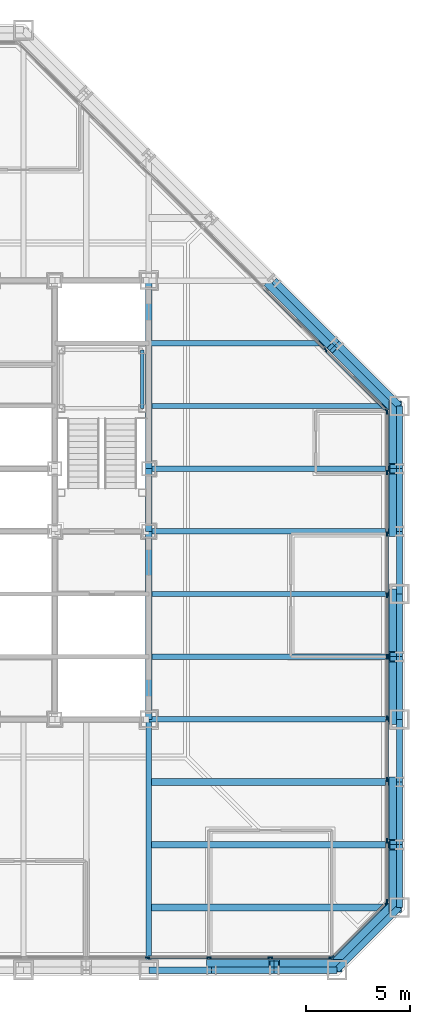
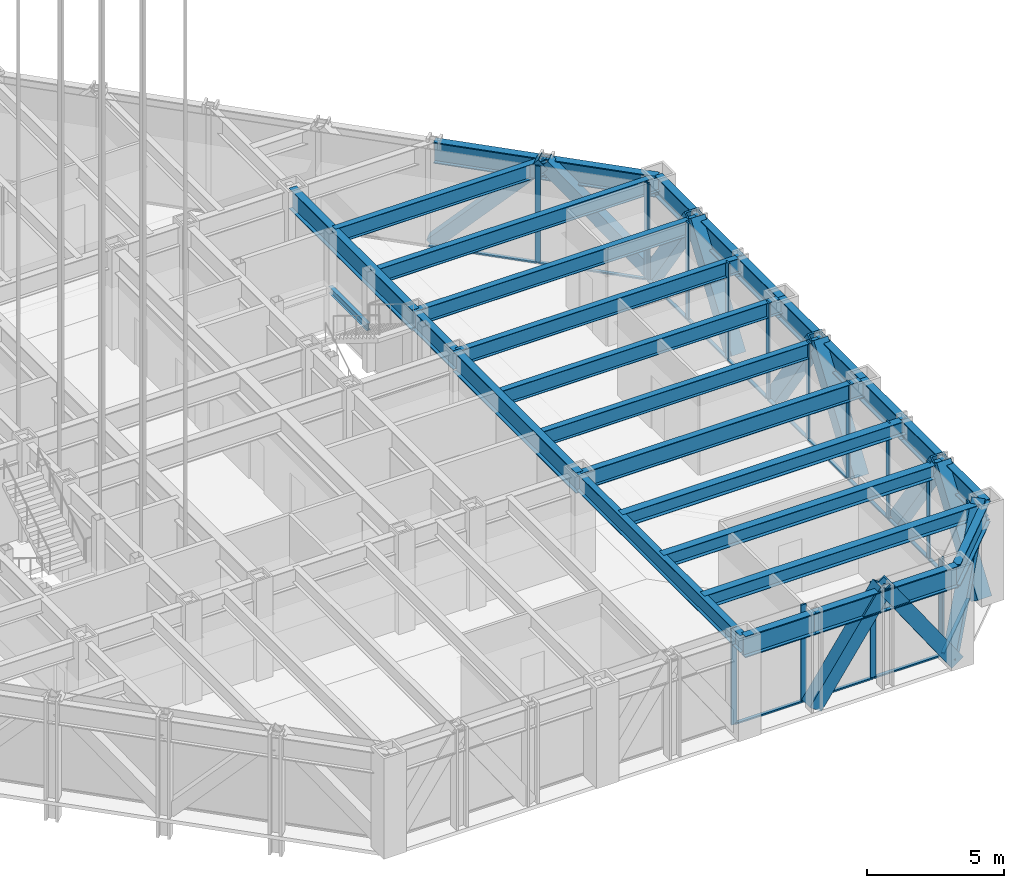
# One storey, part 6 of 26: 42 members, 29 beams, 4 elements without a shape of their own.
"""IFC4 building model written with IfcOpenShell, lengths in metres."""

import ifcopenshell
import ifcopenshell.guid

model = None  # the IFC model being written
_history = None  # IfcOwnerHistory: only IFC2X3 demands one
_inside = {}  # id of a spatial element -> (the spatial element, [elements in it])
_under = {}  # id of a project, library or spatial element -> (it, [spatial elements below it])
_declared = {}  # id of a project -> (the project, [libraries it declares])
_typed = {}  # id of a type object -> (the type object, [elements of that type])
_made_of = {}  # id of a material, layer set ... -> (it, [elements and type objects made of it])


def new_model(schema):
    """Start an empty IFC model of exactly this schema.

    Asked for "IFC4X3", IfcOpenShell would pick the latest addendum, in which some entities
    have other attributes; the version numbers below select the first issue.
    IFC2X3 requires an IfcOwnerHistory on every rooted entity: one is made here for all.
    """
    global model, _history
    if schema == "IFC4X3":
        model = ifcopenshell.file(schema_version=(4, 3, 0, 0))
    else:
        model = ifcopenshell.file(schema=schema)
    _inside.clear()
    _under.clear()
    _declared.clear()
    _typed.clear()
    _made_of.clear()
    _history = None
    if model.schema == "IFC2X3":
        org = make("IfcOrganization", Name="unknown")
        user = make(
            "IfcPersonAndOrganization",
            ThePerson=make("IfcPerson", FamilyName="unknown"),
            TheOrganization=org,
        )
        app = make(
            "IfcApplication",
            ApplicationDeveloper=org,
            Version="unknown",
            ApplicationFullName="unknown",
            ApplicationIdentifier="unknown",
        )
        _history = make(
            "IfcOwnerHistory",
            OwningUser=user,
            OwningApplication=app,
            ChangeAction="ADDED",
            CreationDate=0,
        )
    return model


def make(cls, **values):
    """One entity of the class cls with the attributes given. An attribute that is None is left unset."""
    return model.create_entity(
        cls, **{name: value for name, value in values.items() if value is not None}
    )


def rooted(cls, **values):
    """An entity with a GlobalId (a new one), such as an element, a storey or a relation."""
    return make(cls, GlobalId=ifcopenshell.guid.new(), OwnerHistory=_history, **values)


def si_unit(unit_type, name, prefix=None):
    """IfcSIUnit, for example si_unit("LENGTHUNIT", "METRE", prefix="MILLI")."""
    return make("IfcSIUnit", UnitType=unit_type, Prefix=prefix, Name=name)


def assignment(units):
    """IfcUnitAssignment: the units of a project."""
    return None if units is None else make("IfcUnitAssignment", Units=units)


def point(xyz):
    """IfcCartesianPoint."""
    return None if xyz is None else make("IfcCartesianPoint", Coordinates=xyz)


def direction(xyz):
    """IfcDirection."""
    return None if xyz is None else make("IfcDirection", DirectionRatios=xyz)


def frame(location, z_axis=None, x_axis=None):
    """IfcAxis2Placement3D, a coordinate frame: its origin and axes. An axis left out is left unset."""
    return make(
        "IfcAxis2Placement3D",
        Location=point(location),
        Axis=direction(z_axis),
        RefDirection=direction(x_axis),
    )


def frame_2d(location, x_axis=None):
    """IfcAxis2Placement2D, a coordinate frame in the plane: its origin and x axis."""
    return make(
        "IfcAxis2Placement2D", Location=point(location), RefDirection=direction(x_axis)
    )


def origin():
    """The frame at (0, 0, 0) with its axes left unset."""
    return frame((0.0, 0.0, 0.0))


def origin_2d():
    """The frame at (0, 0) in the plane with its x axis left unset."""
    return frame_2d((0.0, 0.0))


def place(relative_to, where):
    """IfcLocalPlacement: puts the frame where relative to a parent placement (None: the world)."""
    return make(
        "IfcLocalPlacement", PlacementRelTo=relative_to, RelativePlacement=where
    )


def context(
    kind, dimensions, precision=None, world=None, true_north=None, identifier=None
):
    """IfcGeometricRepresentationContext, for example the 3D "Model" context."""
    return make(
        "IfcGeometricRepresentationContext",
        ContextIdentifier=identifier,
        ContextType=kind,
        CoordinateSpaceDimension=dimensions,
        Precision=precision,
        WorldCoordinateSystem=world,
        TrueNorth=true_north,
    )


def subcontext(parent, identifier, kind, view, scale=None):
    """IfcGeometricRepresentationSubContext, for example "Body" below "Model"."""
    return make(
        "IfcGeometricRepresentationSubContext",
        ContextIdentifier=identifier,
        ContextType=kind,
        ParentContext=parent,
        TargetScale=scale,
        TargetView=view,
    )


def project(units=None, contexts=None):
    """IfcProject with its units and contexts."""
    return rooted(
        "IfcProject",
        Name="project",
        RepresentationContexts=contexts,
        UnitsInContext=assignment(units),
    )


def spatial(cls, under=None, at=None, **own):
    """A site, building, storey or space (cls), placed at a placement, below another one or the project."""
    s = rooted(cls, ObjectPlacement=at, **own)
    if under is not None:
        _under.setdefault(under.id(), (under, []))[1].append(s)
    return s


def profile(cls, at=None, kind="AREA", **sizes):
    """A parametric profile (cls). Its sizes go by their IFC names, for example OverallWidth=200.0."""
    return make(cls, ProfileType=kind, Position=at, **sizes)


def rectangle(**sizes):
    """IfcRectangleProfileDef."""
    return profile("IfcRectangleProfileDef", **sizes)


def hollow_rectangle(**sizes):
    """IfcRectangleHollowProfileDef."""
    return profile("IfcRectangleHollowProfileDef", **sizes)


def i_section(**sizes):
    """IfcIShapeProfileDef."""
    return profile("IfcIShapeProfileDef", **sizes)


def extrude(swept, where, along, depth):
    """IfcExtrudedAreaSolid: the profile swept, set in the frame where, extruded along a direction by depth."""
    return make(
        "IfcExtrudedAreaSolid",
        SweptArea=swept,
        Position=where,
        ExtrudedDirection=direction(along),
        Depth=depth,
    )


def shape(context_of_items, identifier, shape_type, items):
    """IfcShapeRepresentation: the items that make up one representation, for example the "Body"."""
    return make(
        "IfcShapeRepresentation",
        ContextOfItems=context_of_items,
        RepresentationIdentifier=identifier,
        RepresentationType=shape_type,
        Items=items,
    )


def material(Name=None, Category=None):
    """IfcMaterial."""
    return make("IfcMaterial", Name=Name, Category=Category)


def layer(
    of_material, thickness, ventilated=None, Name=None, Category=None, Priority=None
):
    """IfcMaterialLayer: one layer of a wall or slab, of a material (None: an air gap)."""
    return make(
        "IfcMaterialLayer",
        Material=of_material,
        LayerThickness=thickness,
        IsVentilated=ventilated,
        Name=Name,
        Category=Category,
        Priority=Priority,
    )


def layer_set(layers, Name=None):
    """IfcMaterialLayerSet."""
    return make("IfcMaterialLayerSet", MaterialLayers=layers, LayerSetName=Name)


def material_profile(
    of_material, cross_section, Name=None, Category=None, Priority=None
):
    """IfcMaterialProfile: a cross section and its material."""
    return make(
        "IfcMaterialProfile",
        Name=Name,
        Material=of_material,
        Profile=cross_section,
        Priority=Priority,
        Category=Category,
    )


def profile_set(profiles, Name=None, composite=None):
    """IfcMaterialProfileSet."""
    return make(
        "IfcMaterialProfileSet",
        Name=Name,
        MaterialProfiles=profiles,
        CompositeProfile=composite,
    )


def made_of(thing, what):
    """Note that an element or type object is made of a material, layer set ...; save() writes the relation."""
    if what is not None:
        _made_of.setdefault(what.id(), (what, []))[1].append(thing)
    return thing


def type_object(cls, material=None, **own):
    """A type object (cls), such as IfcWallType, which elements share."""
    return made_of(rooted(cls, **own), material)


def element(
    cls,
    number,
    at=None,
    inside=None,
    cuts=None,
    type_object=None,
    material=None,
    context=None,
    identifier="Body",
    shape_type=None,
    held_by="IfcProductDefinitionShape",
    body=None,
    shapes=None,
    **own,
):
    """One element of the class cls, such as IfcWall. Its Tag is "e" and its number.

    at: its placement. inside: the storey or other place that contains it. cuts: it is an
    opening in that element (IfcRelVoidsElement). A single representation is given by context,
    identifier, shape_type and body (its items); several are given by shapes. held_by: the class
    of the entity that holds the representations. save() writes the other relations.
    """
    e = rooted(cls, Tag="e%d" % number, ObjectPlacement=at, **own)
    if body is not None:
        shapes = [shape(context, identifier, shape_type, body)]
    if shapes is not None:
        e.Representation = make(held_by, Representations=shapes)
    if inside is not None:
        _inside.setdefault(inside.id(), (inside, []))[1].append(e)
    if cuts is not None:
        rooted(
            "IfcRelVoidsElement", RelatingBuildingElement=cuts, RelatedOpeningElement=e
        )
    if type_object is not None:
        _typed.setdefault(type_object.id(), (type_object, []))[1].append(e)
    return made_of(e, material)


def aggregate(whole, parts):
    """IfcRelAggregates: a whole, such as a stair, and the parts it consists of."""
    return rooted("IfcRelAggregates", RelatingObject=whole, RelatedObjects=parts)


def save(model, path):
    """Write the relations noted so far, then the file.

    IfcRelAggregates (storeys below a building ...), IfcRelContainedInSpatialStructure (elements
    in a storey), IfcRelDefinesByType, IfcRelAssociatesMaterial and IfcRelDeclares: one each for
    every whole, place, type object, material and project.
    """
    for whole, parts in _under.values():
        aggregate(whole, parts)
    for where, things in _inside.values():
        rooted(
            "IfcRelContainedInSpatialStructure",
            RelatedElements=things,
            RelatingStructure=where,
        )
    for kind, things in _typed.values():
        rooted("IfcRelDefinesByType", RelatedObjects=things, RelatingType=kind)
    for what, things in _made_of.values():
        rooted("IfcRelAssociatesMaterial", RelatedObjects=things, RelatingMaterial=what)
    for by, libraries in _declared.values():
        rooted("IfcRelDeclares", RelatingContext=by, RelatedDefinitions=libraries)
    model.write(path)


model = new_model("IFC4")

# Units and contexts
model_context = context("Model", 3, precision=1e-05, world=origin(), true_north=direction((0.0, 1.0)))
body_context = subcontext(model_context, "Body", "Model", "MODEL_VIEW")
ifc_project = project(units=[si_unit("LENGTHUNIT", "METRE"), si_unit("AREAUNIT", "SQUARE_METRE"), si_unit("VOLUMEUNIT", "CUBIC_METRE"), si_unit("PLANEANGLEUNIT", "RADIAN"), si_unit("MASSUNIT", "GRAM", prefix="KILO")], contexts=[model_context])

# Site, building, storey
site_placement = place(None, origin())
site = spatial("IfcSite", under=ifc_project, at=site_placement, CompositionType="ELEMENT")
building_placement = place(site_placement, origin())
building = spatial("IfcBuilding", under=site, at=building_placement, Name="Chuquiago Exchange Tower", CompositionType="ELEMENT")
storey_placement = place(building_placement, frame((0.0, 0.0, 102.300048828125)))
storey = spatial("IfcBuildingStorey", under=building, at=storey_placement, Name="L21", CompositionType="ELEMENT", Elevation=102.300048828125)

# Beams
ifc_material_1 = material(Name="Steel ASTM A992", Category="steel")
ifc_material_profile_1 = material_profile(ifc_material_1, i_section(OverallWidth=0.25390625, OverallDepth=0.683349609375, WebThickness=0.012451171875, FlangeThickness=0.018798828125, at=origin_2d()), Name="W27X94")
ifc_profile_set_1 = profile_set([ifc_material_profile_1], Name="Steel ASTM A992")
beam_type_1 = type_object("IfcBeamType", Name="B1 W27X94", PredefinedType="BEAM", material=ifc_profile_set_1)
for number, where, z_axis, x_axis, name in (
    (1, (33.0, 15.0, 3.998291015625), (1.0, 0.0, 0.0), (0.0, 1.0, 0.0), "FB-L22-infill-33_15-45_15-0"),
    (2, (33.0, 18.0, 3.998291015625), (1.0, 0.0, 0.0), (0.0, 1.0, 0.0), "FB-L22-infill-33_18-45_18-0"),
    (3, (33.0, 21.0, 3.998291015625), (1.0, 0.0, 0.0), (0.0, 1.0, 0.0), "FB-L22-infill-33_21-45_21-0"),
    (4, (33.0, 24.0, 3.998291015625), (1.0, 0.0, 0.0), (0.0, 1.0, 0.0), "FB-L22-infill-33_24-45_24-0"),
    (5, (33.0, 27.0, 3.998291015625), (1.0, 0.0, 0.0), (0.0, 1.0, 0.0), "FB-L22-infill-33_27-45_27-0"),
):
    element("IfcBeam", number, at=place(storey_placement, frame(where, z_axis=z_axis, x_axis=x_axis)), inside=storey, type_object=beam_type_1, Name=name, PredefinedType="BEAM", context=body_context, shape_type="SweptSolid", body=[
        extrude(i_section(OverallWidth=0.25390625, OverallDepth=0.683349609375, WebThickness=0.012451171875, FlangeThickness=0.018798828125, at=origin_2d()), origin(), (0.0, 0.0, 1.0), 12.0),
    ])
beam_1_placement = place(storey_placement, frame((33.0, 30.0, 3.998291015625), z_axis=(1.0, 0.0, 0.0), x_axis=(0.0, 1.0, 0.0)))
element("IfcBeam", 6, at=beam_1_placement, inside=storey, type_object=beam_type_1, Name="FB-L22-infill-33_30-42_30-0", PredefinedType="BEAM", context=body_context, shape_type="SweptSolid", body=[
    extrude(i_section(OverallWidth=0.25390625, OverallDepth=0.683349609375, WebThickness=0.012451171875, FlangeThickness=0.018798828125, at=origin_2d()), origin(), (0.0, 0.0, 1.0), 9.0),
])
ifc_material_2 = material(Name="Steel ASTM A992", Category="steel")
ifc_material_profile_2 = material_profile(ifc_material_2, i_section(OverallWidth=0.307373046875, OverallDepth=0.927001953125, WebThickness=0.01953125, FlangeThickness=0.031982421875, at=origin_2d()), Name="W36X194")
ifc_profile_set_2 = profile_set([ifc_material_profile_2], Name="Steel ASTM A992")
beam_type_2 = type_object("IfcBeamType", Name="B10 W36X194", PredefinedType="BEAM", material=ifc_profile_set_2)
for number, where, z_axis, x_axis, name in (
    (7, (33.0, 12.0, 3.87646484375), (0.0, 1.0, 0.0), (-1.0, 0.0, 0.0), "CB-L22-33_12-33_21"),
    (8, (33.0, 24.0, 3.87646484375), (0.0, 1.0, 0.0), (-1.0, 0.0, 0.0), "CB-L22-33_24-33_33"),
):
    element("IfcBeam", number, at=place(storey_placement, frame(where, z_axis=z_axis, x_axis=x_axis)), inside=storey, type_object=beam_type_2, Name=name, PredefinedType="BEAM", context=body_context, shape_type="SweptSolid", body=[
        extrude(i_section(OverallWidth=0.307373046875, OverallDepth=0.927001953125, WebThickness=0.01953125, FlangeThickness=0.031982421875, at=origin_2d()), origin(), (0.0, 0.0, 1.0), 9.0),
    ])
ifc_material_3 = material(Name="Steel ASTM A992", Category="steel")
ifc_material_profile_3 = material_profile(ifc_material_3, i_section(OverallWidth=0.3251953125, OverallDepth=0.612060546875, WebThickness=0.0126953125, FlangeThickness=0.01904296875, at=origin_2d()), Name="W24X104")
ifc_profile_set_3 = profile_set([ifc_material_profile_3], Name="Steel ASTM A992")
beam_type_3 = type_object("IfcBeamType", Name="B2 W24X104", PredefinedType="BEAM", material=ifc_profile_set_3)
for number, where, z_axis, x_axis, name in (
    (9, (33.0, 3.0, 4.033935546875), (1.0, 0.0, 0.0), (0.0, 1.0, 0.0), "FB-L22-corner-33_3-45_3-0"),
    (10, (33.0, 6.0, 4.033935546875), (1.0, 0.0, 0.0), (0.0, 1.0, 0.0), "FB-L22-corner-33_6-45_6-0"),
    (11, (33.0, 9.0, 4.033935546875), (1.0, 0.0, 0.0), (0.0, 1.0, 0.0), "FB-L22-corner-33_9-45_9-0"),
):
    element("IfcBeam", number, at=place(storey_placement, frame(where, z_axis=z_axis, x_axis=x_axis)), inside=storey, type_object=beam_type_3, Name=name, PredefinedType="BEAM", context=body_context, shape_type="SweptSolid", body=[
        extrude(i_section(OverallWidth=0.3251953125, OverallDepth=0.612060546875, WebThickness=0.0126953125, FlangeThickness=0.01904296875, at=origin_2d()), origin(), (0.0, 0.0, 1.0), 12.0),
    ])
ifc_material_4 = material(Name="Steel ASTM A992", Category="steel")
ifc_material_profile_4 = material_profile(ifc_material_4, i_section(OverallWidth=0.2919921875, OverallDepth=0.8583984375, WebThickness=0.01708984375, FlangeThickness=0.031005859375, at=origin_2d()), Name="W33X169")
ifc_profile_set_4 = profile_set([ifc_material_profile_4], Name="Steel ASTM A992")
beam_type_4 = type_object("IfcBeamType", Name="B3 W33X169", PredefinedType="BEAM", material=ifc_profile_set_4)
beam_2_placement = place(storey_placement, frame((33.0, 21.0, 3.91064453125), z_axis=(0.0, 1.0, 0.0), x_axis=(-1.0, 0.0, 0.0)))
element("IfcBeam", 12, at=beam_2_placement, inside=storey, type_object=beam_type_4, Name="CB-L22-33_21-33_24", PredefinedType="BEAM", context=body_context, shape_type="SweptSolid", body=[
    extrude(i_section(OverallWidth=0.2919921875, OverallDepth=0.8583984375, WebThickness=0.01708984375, FlangeThickness=0.031005859375, at=origin_2d()), origin(), (0.0, 0.0, 1.0), 3.0),
])

# Curtain wall, members
ifc_material_5 = material(Name="Aluminium curtain wall system", Category="aluminium")
ifc_layer_1 = layer(ifc_material_5, 0.22509765625)
ifc_layer_set_1 = layer_set([ifc_layer_1], Name="CW2 office curtain wall")
curtain_wall_type_1 = type_object("IfcCurtainWallType", Name="CW2 office curtain wall", PredefinedType="NOTDEFINED", material=ifc_layer_set_1)
curtain_wall_1_placement = place(storey_placement, origin())
curtain_wall_1 = element("IfcCurtainWall", 13, at=curtain_wall_1_placement, inside=storey, type_object=curtain_wall_type_1, Name="CW2 curtain wall L21", PredefinedType="NOTDEFINED")
ifc_material_6 = material(Name="Aluminium mullion, pale anodised", Category="aluminium")
ifc_material_profile_5 = material_profile(ifc_material_6, rectangle(XDim=0.06494140625, YDim=0.22509765625, at=origin_2d()), Name="AL 65x225")
ifc_profile_set_5 = profile_set([ifc_material_profile_5], Name="Aluminium mullion, pale anodised")
member_type_1 = type_object("IfcMemberType", Name="CW2-M mullion 65x225", PredefinedType="MULLION", material=ifc_profile_set_5)
member_1_placement = place(storey_placement, frame((32.93798828125, 0.60009765625, 0.0), z_axis=(0.0, 0.0, 1.0), x_axis=(0.0, 1.0, 0.0)))
member_1 = element("IfcMember", 14, at=member_1_placement, type_object=member_type_1, Name="CW2 mullion 6", PredefinedType="MULLION", context=body_context, shape_type="SweptSolid", body=[
    extrude(rectangle(XDim=0.06494140625, YDim=0.22509765625, at=origin_2d()), origin(), (0.0, 0.0, 1.0), 4.33984375),
])
member_2_placement = place(storey_placement, frame((35.875732421875, 0.60009765625, 0.0), z_axis=(0.0, 0.0, 1.0), x_axis=(0.0, 1.0, 0.0)))
member_2 = element("IfcMember", 15, at=member_2_placement, type_object=member_type_1, Name="CW2 mullion 7", PredefinedType="MULLION", context=body_context, shape_type="SweptSolid", body=[
    extrude(rectangle(XDim=0.06494140625, YDim=0.22509765625, at=origin_2d()), origin(), (0.0, 0.0, 1.0), 4.33984375),
])
member_3_placement = place(storey_placement, frame((38.813720703125, 0.60009765625, 0.0), z_axis=(0.0, 0.0, 1.0), x_axis=(0.0, 1.0, 0.0)))
member_3 = element("IfcMember", 16, at=member_3_placement, type_object=member_type_1, Name="CW2 mullion 8", PredefinedType="MULLION", context=body_context, shape_type="SweptSolid", body=[
    extrude(rectangle(XDim=0.06494140625, YDim=0.22509765625, at=origin_2d()), origin(), (0.0, 0.0, 1.0), 4.33984375),
])
member_4_placement = place(storey_placement, frame((41.718994140625, 0.60009765625, 0.0), z_axis=(0.0, 0.0, 1.0), x_axis=(0.0, 1.0, 0.0)))
member_4 = element("IfcMember", 17, at=member_4_placement, type_object=member_type_1, Name="CW2 mullion 9", PredefinedType="MULLION", context=body_context, shape_type="SweptSolid", body=[
    extrude(rectangle(XDim=0.06494140625, YDim=0.22509765625, at=origin_2d()), origin(), (0.0, 0.0, 1.0), 4.33984375),
])

curtain_wall_2_placement = place(storey_placement, origin())
curtain_wall_2 = element("IfcCurtainWall", 18, at=curtain_wall_2_placement, inside=storey, type_object=curtain_wall_type_1, Name="CW2 curtain wall L21", PredefinedType="NOTDEFINED")
member_5_placement = place(storey_placement, frame((44.39990234375, 3.281005859375, 0.0), z_axis=(0.0, 0.0, 1.0), x_axis=(-1.0, 0.0, 0.0)))
member_5 = element("IfcMember", 19, at=member_5_placement, type_object=member_type_1, Name="CW2 mullion 1", PredefinedType="MULLION", context=body_context, shape_type="SweptSolid", body=[
    extrude(rectangle(XDim=0.06494140625, YDim=0.22509765625, at=origin_2d()), origin(), (0.0, 0.0, 1.0), 4.33984375),
])
member_6_placement = place(storey_placement, frame((44.39990234375, 6.186279296875, 0.0), z_axis=(0.0, 0.0, 1.0), x_axis=(-1.0, 0.0, 0.0)))
member_6 = element("IfcMember", 20, at=member_6_placement, type_object=member_type_1, Name="CW2 mullion 2", PredefinedType="MULLION", context=body_context, shape_type="SweptSolid", body=[
    extrude(rectangle(XDim=0.06494140625, YDim=0.22509765625, at=origin_2d()), origin(), (0.0, 0.0, 1.0), 4.33984375),
])
member_7_placement = place(storey_placement, frame((44.39990234375, 9.124267578125, 0.0), z_axis=(0.0, 0.0, 1.0), x_axis=(-1.0, 0.0, 0.0)))
member_7 = element("IfcMember", 21, at=member_7_placement, type_object=member_type_1, Name="CW2 mullion 3", PredefinedType="MULLION", context=body_context, shape_type="SweptSolid", body=[
    extrude(rectangle(XDim=0.06494140625, YDim=0.22509765625, at=origin_2d()), origin(), (0.0, 0.0, 1.0), 4.33984375),
])
member_8_placement = place(storey_placement, frame((44.39990234375, 12.06201171875, 0.0), z_axis=(0.0, 0.0, 1.0), x_axis=(-1.0, 0.0, 0.0)))
member_8 = element("IfcMember", 22, at=member_8_placement, type_object=member_type_1, Name="CW2 mullion 4", PredefinedType="MULLION", context=body_context, shape_type="SweptSolid", body=[
    extrude(rectangle(XDim=0.06494140625, YDim=0.22509765625, at=origin_2d()), origin(), (0.0, 0.0, 1.0), 4.33984375),
])
member_9_placement = place(storey_placement, frame((44.39990234375, 15.0, 0.0), z_axis=(0.0, 0.0, 1.0), x_axis=(-1.0, 0.0, 0.0)))
member_9 = element("IfcMember", 23, at=member_9_placement, type_object=member_type_1, Name="CW2 mullion 5", PredefinedType="MULLION", context=body_context, shape_type="SweptSolid", body=[
    extrude(rectangle(XDim=0.06494140625, YDim=0.22509765625, at=origin_2d()), origin(), (0.0, 0.0, 1.0), 4.33984375),
])
member_10_placement = place(storey_placement, frame((44.39990234375, 17.93798828125, 0.0), z_axis=(0.0, 0.0, 1.0), x_axis=(-1.0, 0.0, 0.0)))
member_10 = element("IfcMember", 24, at=member_10_placement, type_object=member_type_1, Name="CW2 mullion 6", PredefinedType="MULLION", context=body_context, shape_type="SweptSolid", body=[
    extrude(rectangle(XDim=0.06494140625, YDim=0.22509765625, at=origin_2d()), origin(), (0.0, 0.0, 1.0), 4.33984375),
])
member_11_placement = place(storey_placement, frame((44.39990234375, 20.875732421875, 0.0), z_axis=(0.0, 0.0, 1.0), x_axis=(-1.0, 0.0, 0.0)))
member_11 = element("IfcMember", 25, at=member_11_placement, type_object=member_type_1, Name="CW2 mullion 7", PredefinedType="MULLION", context=body_context, shape_type="SweptSolid", body=[
    extrude(rectangle(XDim=0.06494140625, YDim=0.22509765625, at=origin_2d()), origin(), (0.0, 0.0, 1.0), 4.33984375),
])
member_12_placement = place(storey_placement, frame((44.39990234375, 23.813720703125, 0.0), z_axis=(0.0, 0.0, 1.0), x_axis=(-1.0, 0.0, 0.0)))
member_12 = element("IfcMember", 26, at=member_12_placement, type_object=member_type_1, Name="CW2 mullion 8", PredefinedType="MULLION", context=body_context, shape_type="SweptSolid", body=[
    extrude(rectangle(XDim=0.06494140625, YDim=0.22509765625, at=origin_2d()), origin(), (0.0, 0.0, 1.0), 4.33984375),
])
member_13_placement = place(storey_placement, frame((44.39990234375, 26.718994140625, 0.0), z_axis=(0.0, 0.0, 1.0), x_axis=(-1.0, 0.0, 0.0)))
member_13 = element("IfcMember", 27, at=member_13_placement, type_object=member_type_1, Name="CW2 mullion 9", PredefinedType="MULLION", context=body_context, shape_type="SweptSolid", body=[
    extrude(rectangle(XDim=0.06494140625, YDim=0.22509765625, at=origin_2d()), origin(), (0.0, 0.0, 1.0), 4.33984375),
])

# Member
ifc_material_7 = material(Name="Aluminium transom, pale anodised", Category="aluminium")
ifc_material_profile_6 = material_profile(ifc_material_7, rectangle(XDim=0.139892578125, YDim=0.06494140625, at=origin_2d()), Name="AL 140x65")
ifc_profile_set_6 = profile_set([ifc_material_profile_6], Name="Aluminium transom, pale anodised")
member_type_2 = type_object("IfcMemberType", Name="CW2-T transom 65x140", PredefinedType="MULLION", material=ifc_profile_set_6)
member_14_placement = place(storey_placement, frame((32.970458984375, 0.60009765625, 0.032470703125), z_axis=(1.0, 0.0, 0.0), x_axis=(0.0, 1.0, 0.0)))
member_14 = element("IfcMember", 28, at=member_14_placement, type_object=member_type_2, Name="CW2 transom 6.1", PredefinedType="MULLION", context=body_context, shape_type="SweptSolid", body=[
    extrude(rectangle(XDim=0.139892578125, YDim=0.06494140625, at=origin_2d()), origin(), (0.0, 0.0, 1.0), 2.872802734375),
])

member_15_placement = place(storey_placement, frame((35.908203125, 0.60009765625, 0.032470703125), z_axis=(1.0, 0.0, 0.0), x_axis=(0.0, 1.0, 0.0)))
member_15 = element("IfcMember", 29, at=member_15_placement, type_object=member_type_2, Name="CW2 transom 7.1", PredefinedType="MULLION", context=body_context, shape_type="SweptSolid", body=[
    extrude(rectangle(XDim=0.139892578125, YDim=0.06494140625, at=origin_2d()), origin(), (0.0, 0.0, 1.0), 2.872802734375),
])

member_16_placement = place(storey_placement, frame((38.84619140625, 0.60009765625, 0.032470703125), z_axis=(1.0, 0.0, 0.0), x_axis=(0.0, 1.0, 0.0)))
member_16 = element("IfcMember", 30, at=member_16_placement, type_object=member_type_2, Name="CW2 transom 8.1", PredefinedType="MULLION", context=body_context, shape_type="SweptSolid", body=[
    extrude(rectangle(XDim=0.139892578125, YDim=0.06494140625, at=origin_2d()), origin(), (0.0, 0.0, 1.0), 2.84033203125),
])

aggregate(curtain_wall_1, [member_1, member_2, member_3, member_4, member_14, member_15, member_16])

member_17_placement = place(storey_placement, frame((44.39990234375, 3.3134765625, 0.032470703125), z_axis=(0.0, 1.0, 0.0), x_axis=(-1.0, 0.0, 0.0)))
member_17 = element("IfcMember", 31, at=member_17_placement, type_object=member_type_2, Name="CW2 transom 1.1", PredefinedType="MULLION", context=body_context, shape_type="SweptSolid", body=[
    extrude(rectangle(XDim=0.139892578125, YDim=0.06494140625, at=origin_2d()), origin(), (0.0, 0.0, 1.0), 2.84033203125),
])

member_18_placement = place(storey_placement, frame((44.39990234375, 6.218994140625, 0.032470703125), z_axis=(0.0, 1.0, 0.0), x_axis=(-1.0, 0.0, 0.0)))
member_18 = element("IfcMember", 32, at=member_18_placement, type_object=member_type_2, Name="CW2 transom 2.1", PredefinedType="MULLION", context=body_context, shape_type="SweptSolid", body=[
    extrude(rectangle(XDim=0.139892578125, YDim=0.06494140625, at=origin_2d()), origin(), (0.0, 0.0, 1.0), 2.872802734375),
])

member_19_placement = place(storey_placement, frame((44.39990234375, 9.15673828125, 0.032470703125), z_axis=(0.0, 1.0, 0.0), x_axis=(-1.0, 0.0, 0.0)))
member_19 = element("IfcMember", 33, at=member_19_placement, type_object=member_type_2, Name="CW2 transom 3.1", PredefinedType="MULLION", context=body_context, shape_type="SweptSolid", body=[
    extrude(rectangle(XDim=0.139892578125, YDim=0.06494140625, at=origin_2d()), origin(), (0.0, 0.0, 1.0), 2.872802734375),
])

member_20_placement = place(storey_placement, frame((44.39990234375, 12.0947265625, 0.032470703125), z_axis=(0.0, 1.0, 0.0), x_axis=(-1.0, 0.0, 0.0)))
member_20 = element("IfcMember", 34, at=member_20_placement, type_object=member_type_2, Name="CW2 transom 4.1", PredefinedType="MULLION", context=body_context, shape_type="SweptSolid", body=[
    extrude(rectangle(XDim=0.139892578125, YDim=0.06494140625, at=origin_2d()), origin(), (0.0, 0.0, 1.0), 2.872802734375),
])

member_21_placement = place(storey_placement, frame((44.39990234375, 15.032470703125, 0.032470703125), z_axis=(0.0, 1.0, 0.0), x_axis=(-1.0, 0.0, 0.0)))
member_21 = element("IfcMember", 35, at=member_21_placement, type_object=member_type_2, Name="CW2 transom 5.1", PredefinedType="MULLION", context=body_context, shape_type="SweptSolid", body=[
    extrude(rectangle(XDim=0.139892578125, YDim=0.06494140625, at=origin_2d()), origin(), (0.0, 0.0, 1.0), 2.872802734375),
])

member_22_placement = place(storey_placement, frame((44.39990234375, 17.970458984375, 0.032470703125), z_axis=(0.0, 1.0, 0.0), x_axis=(-1.0, 0.0, 0.0)))
member_22 = element("IfcMember", 36, at=member_22_placement, type_object=member_type_2, Name="CW2 transom 6.1", PredefinedType="MULLION", context=body_context, shape_type="SweptSolid", body=[
    extrude(rectangle(XDim=0.139892578125, YDim=0.06494140625, at=origin_2d()), origin(), (0.0, 0.0, 1.0), 2.872802734375),
])

member_23_placement = place(storey_placement, frame((44.39990234375, 20.908203125, 0.032470703125), z_axis=(0.0, 1.0, 0.0), x_axis=(-1.0, 0.0, 0.0)))
member_23 = element("IfcMember", 37, at=member_23_placement, type_object=member_type_2, Name="CW2 transom 7.1", PredefinedType="MULLION", context=body_context, shape_type="SweptSolid", body=[
    extrude(rectangle(XDim=0.139892578125, YDim=0.06494140625, at=origin_2d()), origin(), (0.0, 0.0, 1.0), 2.872802734375),
])

member_24_placement = place(storey_placement, frame((44.39990234375, 23.84619140625, 0.032470703125), z_axis=(0.0, 1.0, 0.0), x_axis=(-1.0, 0.0, 0.0)))
member_24 = element("IfcMember", 38, at=member_24_placement, type_object=member_type_2, Name="CW2 transom 8.1", PredefinedType="MULLION", context=body_context, shape_type="SweptSolid", body=[
    extrude(rectangle(XDim=0.139892578125, YDim=0.06494140625, at=origin_2d()), origin(), (0.0, 0.0, 1.0), 2.84033203125),
])

aggregate(curtain_wall_2, [member_5, member_6, member_7, member_8, member_9, member_10, member_11, member_12, member_13, member_17, member_18, member_19, member_20, member_21, member_22, member_23, member_24])

# Curtain wall, members
ifc_material_8 = material(Name="Aluminium curtain wall system", Category="aluminium")
ifc_layer_2 = layer(ifc_material_8, 0.199951171875)
ifc_layer_set_2 = layer_set([ifc_layer_2], Name="CW3 facet curtain wall")
curtain_wall_type_2 = type_object("IfcCurtainWallType", Name="CW3 facet curtain wall", PredefinedType="NOTDEFINED", material=ifc_layer_set_2)
curtain_wall_3_placement = place(storey_placement, origin())
curtain_wall_3 = element("IfcCurtainWall", 39, at=curtain_wall_3_placement, inside=storey, type_object=curtain_wall_type_2, Name="CW3 curtain wall L21", PredefinedType="NOTDEFINED")
ifc_material_9 = material(Name="Aluminium mullion, pale anodised", Category="aluminium")
ifc_material_profile_7 = material_profile(ifc_material_9, rectangle(XDim=0.06494140625, YDim=0.199951171875, at=origin_2d()), Name="AL 65x200")
ifc_profile_set_7 = profile_set([ifc_material_profile_7], Name="Aluminium mullion, pale anodised")
member_type_3 = type_object("IfcMemberType", Name="CW3-M mullion 65x200", PredefinedType="MULLION", material=ifc_profile_set_7)
member_25_placement = place(storey_placement, frame((41.7744140625, 0.623046875, 0.0), z_axis=(0.0, 0.0, 1.0), x_axis=(-0.707106781187, 0.707106781187, 0.0)))
member_25 = element("IfcMember", 40, at=member_25_placement, type_object=member_type_3, Name="CW3 mullion 1", PredefinedType="MULLION", context=body_context, shape_type="SweptSolid", body=[
    extrude(rectangle(XDim=0.06494140625, YDim=0.199951171875, at=origin_2d()), origin(), (0.0, 0.0, 1.0), 4.33984375),
])
member_26_placement = place(storey_placement, frame((44.376953125, 3.2255859375, 0.0), z_axis=(0.0, 0.0, 1.0), x_axis=(-0.707106781187, 0.707106781187, 0.0)))
member_26 = element("IfcMember", 41, at=member_26_placement, type_object=member_type_3, Name="CW3 mullion 2", PredefinedType="MULLION", context=body_context, shape_type="SweptSolid", body=[
    extrude(rectangle(XDim=0.06494140625, YDim=0.199951171875, at=origin_2d()), origin(), (0.0, 0.0, 1.0), 4.33984375),
])

curtain_wall_4_placement = place(storey_placement, origin())
curtain_wall_4 = element("IfcCurtainWall", 42, at=curtain_wall_4_placement, inside=storey, type_object=curtain_wall_type_2, Name="CW3 curtain wall L21", PredefinedType="NOTDEFINED")
member_27_placement = place(storey_placement, frame((44.376953125, 26.7744140625, 0.0), z_axis=(0.0, 0.0, 1.0), x_axis=(-0.707106781187, -0.707106781187, 0.0)))
member_27 = element("IfcMember", 43, at=member_27_placement, type_object=member_type_3, Name="CW3 mullion 1", PredefinedType="MULLION", context=body_context, shape_type="SweptSolid", body=[
    extrude(rectangle(XDim=0.06494140625, YDim=0.199951171875, at=origin_2d()), origin(), (0.0, 0.0, 1.0), 4.33984375),
])
member_28_placement = place(storey_placement, frame((41.45849609375, 29.69287109375, 0.0), z_axis=(0.0, 0.0, 1.0), x_axis=(-0.707106781187, -0.707106781187, 0.0)))
member_28 = element("IfcMember", 44, at=member_28_placement, type_object=member_type_3, Name="CW3 mullion 2", PredefinedType="MULLION", context=body_context, shape_type="SweptSolid", body=[
    extrude(rectangle(XDim=0.06494140625, YDim=0.199951171875, at=origin_2d()), origin(), (0.0, 0.0, 1.0), 4.33984375),
])

# Member
ifc_material_10 = material(Name="Aluminium transom, pale anodised", Category="aluminium")
ifc_material_profile_8 = material_profile(ifc_material_10, rectangle(XDim=0.139892578125, YDim=0.06494140625, at=origin_2d()), Name="AL 140x65")
ifc_profile_set_8 = profile_set([ifc_material_profile_8], Name="Aluminium transom, pale anodised")
member_type_4 = type_object("IfcMemberType", Name="CW3-T transom 65x140", PredefinedType="MULLION", material=ifc_profile_set_8)
member_29_placement = place(storey_placement, frame((41.79736328125, 0.64599609375, 0.032470703125), z_axis=(0.707106781187, 0.707106781187, 0.0), x_axis=(-0.707106781187, 0.707106781187, 0.0)))
member_29 = element("IfcMember", 45, at=member_29_placement, type_object=member_type_4, Name="CW3 transom 1.1", PredefinedType="MULLION", context=body_context, shape_type="SweptSolid", body=[
    extrude(rectangle(XDim=0.139892578125, YDim=0.06494140625, at=origin_2d()), origin(), (0.0, 0.0, 1.0), 3.61572265625),
])

aggregate(curtain_wall_3, [member_25, member_26, member_29])

member_30_placement = place(storey_placement, frame((44.35400390625, 26.79736328125, 0.032470703125), z_axis=(-0.707106781187, 0.707106781187, 0.0), x_axis=(-0.707106781187, -0.707106781187, 0.0)))
member_30 = element("IfcMember", 46, at=member_30_placement, type_object=member_type_4, Name="CW3 transom 1.1", PredefinedType="MULLION", context=body_context, shape_type="SweptSolid", body=[
    extrude(rectangle(XDim=0.139892578125, YDim=0.06494140625, at=origin_2d()), origin(), (0.0, 0.0, 1.0), 4.0625),
])

member_31_placement = place(storey_placement, frame((41.435546875, 29.7158203125, 0.032470703125), z_axis=(-0.707106781187, 0.707106781187, 0.0), x_axis=(-0.707106781187, -0.707106781187, 0.0)))
member_31 = element("IfcMember", 47, at=member_31_placement, type_object=member_type_4, Name="CW3 transom 2.1", PredefinedType="MULLION", context=body_context, shape_type="SweptSolid", body=[
    extrude(rectangle(XDim=0.139892578125, YDim=0.06494140625, at=origin_2d()), origin(), (0.0, 0.0, 1.0), 4.094970703125),
])

aggregate(curtain_wall_4, [member_27, member_28, member_30, member_31])

# Beams
ifc_material_11 = material(Name="Steel ASTM A992", Category="steel")
ifc_material_profile_9 = material_profile(ifc_material_11, i_section(OverallWidth=0.2666015625, OverallDepth=0.76953125, WebThickness=0.015625, FlangeThickness=0.025390625, at=origin_2d()), Name="W30X132")
ifc_profile_set_9 = profile_set([ifc_material_profile_9], Name="Steel ASTM A992")
beam_type_5 = type_object("IfcBeamType", Name="G1 W30X132", PredefinedType="BEAM", material=ifc_profile_set_9)
for number, where, z_axis, x_axis, name in (
    (48, (33.0, 12.0, 3.955078125), (0.0, -1.0, 0.0), (1.0, 0.0, 0.0), "FB-L22-girder-33_12-33_-0-0"),
    (49, (33.0, 12.0, 3.955078125), (1.0, 0.0, 0.0), (0.0, 1.0, 0.0), "FB-L22-girder-33_12-45_12-0"),
):
    element("IfcBeam", number, at=place(storey_placement, frame(where, z_axis=z_axis, x_axis=x_axis)), inside=storey, type_object=beam_type_5, Name=name, PredefinedType="BEAM", context=body_context, shape_type="SweptSolid", body=[
        extrude(i_section(OverallWidth=0.2666015625, OverallDepth=0.76953125, WebThickness=0.015625, FlangeThickness=0.025390625, at=origin_2d()), origin(), (0.0, 0.0, 1.0), 12.0),
    ])

# Members
ifc_material_12 = material(Name="Steel ASTM A500 Grade C", Category="steel")
ifc_material_profile_10 = material_profile(ifc_material_12, hollow_rectangle(XDim=0.508056640625, YDim=0.508056640625, WallThickness=0.017822265625, at=origin_2d()), Name="HSS20X20X3/4")
ifc_profile_set_10 = profile_set([ifc_material_profile_10], Name="Steel ASTM A500 Grade C")
member_type_5 = type_object("IfcMemberType", Name="LB1 HSS20X20X3/4", PredefinedType="BRACE", material=ifc_profile_set_10)
for number, where, z_axis, x_axis, name in (
    (50, (41.822509765625, 0.177490234375, 0.0), (0.494305423695, 0.494305423695, 0.715069434538), (-0.707106781187, 0.707106781187, 0.0), "LB-L21-42_0-45_3"),
    (51, (44.822509765625, 26.822509765625, 0.0), (-0.494305423695, 0.494305423695, 0.715069434538), (-0.707106781187, -0.707106781187, 0.0), "LB-L21-45_27-42_30"),
    (52, (38.822509765625, 32.822509765625, 0.0), (0.494305423695, -0.494305423695, 0.715069434538), (0.707106781187, 0.707106781187, 0.0), "LB-L21-42_30-39_33"),
):
    element("IfcMember", number, at=place(storey_placement, frame(where, z_axis=z_axis, x_axis=x_axis)), inside=storey, type_object=member_type_5, Name=name, PredefinedType="BRACE", context=body_context, shape_type="SweptSolid", body=[
        extrude(hollow_rectangle(XDim=0.508056640625, YDim=0.508056640625, WallThickness=0.017822265625, at=origin_2d()), origin(), (0.0, 0.0, 1.0), 6.069091796875),
    ])

# Beam
ifc_material_13 = material(Name="Steel ASTM A992", Category="steel")
ifc_material_profile_11 = material_profile(ifc_material_13, i_section(OverallWidth=0.164794921875, OverallDepth=0.309814453125, WebThickness=0.005859375, FlangeThickness=0.009765625, at=origin_2d()), Name="W12X26")
ifc_profile_set_11 = profile_set([ifc_material_profile_11], Name="Steel ASTM A992")
beam_type_6 = type_object("IfcBeamType", Name="LS1 W12X26", PredefinedType="BEAM", material=ifc_profile_set_11)
beam_3_placement = place(storey_placement, frame((32.68994140625, 26.889892578125, 1.89501953125), z_axis=(0.0, 1.0, 0.0), x_axis=(-1.0, 0.0, 0.0)))
element("IfcBeam", 53, at=beam_3_placement, inside=storey, type_object=beam_type_6, Name="Stair ST2 L21 landing 1 stringer", PredefinedType="BEAM", context=body_context, shape_type="SweptSolid", body=[
    extrude(i_section(OverallWidth=0.164794921875, OverallDepth=0.309814453125, WebThickness=0.005859375, FlangeThickness=0.009765625, at=origin_2d()), origin(), (0.0, 0.0, 1.0), 2.800048828125),
])

# Members
ifc_material_14 = material(Name="Steel ASTM A572 Grade 50", Category="steel")
ifc_material_profile_12 = material_profile(ifc_material_14, hollow_rectangle(XDim=0.60009765625, YDim=0.60009765625, WallThickness=0.06005859375, at=origin_2d()), Name="BOX600X600X60")
ifc_profile_set_12 = profile_set([ifc_material_profile_12], Name="Steel ASTM A572 Grade 50")
member_type_6 = type_object("IfcMemberType", Name="MB2 BOX600X600X60", PredefinedType="BRACE", material=ifc_profile_set_12)
for number, where, z_axis, x_axis, name in (
    (54, (36.0, 0.205078125, 0.0), (0.56863232121, 0.0, 0.822591808417), (0.0, 1.0, 0.0), "Mega diagonal L21 S face"),
    (55, (42.0, 0.205078125, 0.0), (-0.56863232121, 0.0, 0.822591808417), (0.0, -1.0, 0.0), "Mega diagonal L21 S face"),
    (56, (44.794921875, 3.0, 0.0), (0.0, 0.56863232121, 0.822591808417), (-1.0, 0.0, 0.0), "Mega diagonal L21 E face"),
    (57, (44.794921875, 9.0, 0.0), (0.0, -0.56863232121, 0.822591808417), (1.0, 0.0, 0.0), "Mega diagonal L21 E face"),
    (58, (44.794921875, 12.0, 0.0), (0.0, 0.56863232121, 0.822591808417), (-1.0, 0.0, 0.0), "Mega diagonal L21 E face"),
    (59, (44.794921875, 18.0, 0.0), (0.0, -0.56863232121, 0.822591808417), (1.0, 0.0, 0.0), "Mega diagonal L21 E face"),
    (60, (44.794921875, 21.0, 0.0), (0.0, 0.56863232121, 0.822591808417), (-1.0, 0.0, 0.0), "Mega diagonal L21 E face"),
    (61, (44.794921875, 27.0, 0.0), (0.0, -0.56863232121, 0.822591808417), (1.0, 0.0, 0.0), "Mega diagonal L21 E face"),
):
    element("IfcMember", number, at=place(storey_placement, frame(where, z_axis=z_axis, x_axis=x_axis)), inside=storey, type_object=member_type_6, Name=name, PredefinedType="BRACE", context=body_context, shape_type="SweptSolid", body=[
        extrude(hollow_rectangle(XDim=0.60009765625, YDim=0.60009765625, WallThickness=0.06005859375, at=origin_2d()), origin(), (0.0, 0.0, 1.0), 5.27587890625),
    ])

# Beams
ifc_material_15 = material(Name="Steel ASTM A992", Category="steel")
ifc_material_profile_13 = material_profile(ifc_material_15, i_section(OverallWidth=0.309814453125, OverallDepth=0.949951171875, WebThickness=0.0244140625, FlangeThickness=0.0439453125, at=origin_2d()), Name="W36X256")
ifc_profile_set_13 = profile_set([ifc_material_profile_13], Name="Steel ASTM A992")
beam_type_7 = type_object("IfcBeamType", Name="SP2 W36X256", PredefinedType="SPANDREL", material=ifc_profile_set_13)
for number, where, z_axis, x_axis, name in (
    (62, (33.0, 0.0, 3.864990234375), (1.0, 0.0, 0.0), (0.0, 1.0, 0.0), "SPB-L22-33_0-36_0"),
    (63, (36.0, 0.0, 3.864990234375), (1.0, 0.0, 0.0), (0.0, 1.0, 0.0), "SPB-L22-36_0-39_0"),
    (64, (39.0, 0.0, 3.864990234375), (1.0, 0.0, 0.0), (0.0, 1.0, 0.0), "SPB-L22-39_0-42_0"),
):
    element("IfcBeam", number, at=place(storey_placement, frame(where, z_axis=z_axis, x_axis=x_axis)), inside=storey, type_object=beam_type_7, Name=name, PredefinedType="SPANDREL", context=body_context, shape_type="SweptSolid", body=[
        extrude(i_section(OverallWidth=0.309814453125, OverallDepth=0.949951171875, WebThickness=0.0244140625, FlangeThickness=0.0439453125, at=origin_2d()), origin(), (0.0, 0.0, 1.0), 3.0),
    ])
beam_4_placement = place(storey_placement, frame((42.0, 0.0, 3.864990234375), z_axis=(0.707106781187, 0.707106781187, 0.0), x_axis=(-0.707106781187, 0.707106781187, 0.0)))
element("IfcBeam", 65, at=beam_4_placement, inside=storey, type_object=beam_type_7, Name="SPB-L22-42_0-45_3", PredefinedType="SPANDREL", context=body_context, shape_type="SweptSolid", body=[
    extrude(i_section(OverallWidth=0.309814453125, OverallDepth=0.949951171875, WebThickness=0.0244140625, FlangeThickness=0.0439453125, at=origin_2d()), origin(), (0.0, 0.0, 1.0), 4.24267578125),
])
for number, where, z_axis, x_axis, name in (
    (66, (45.0, 3.0, 3.864990234375), (0.0, 1.0, 0.0), (-1.0, 0.0, 0.0), "SPB-L22-45_3-45_6"),
    (67, (45.0, 6.0, 3.864990234375), (0.0, 1.0, 0.0), (-1.0, 0.0, 0.0), "SPB-L22-45_6-45_9"),
    (68, (45.0, 9.0, 3.864990234375), (0.0, 1.0, 0.0), (-1.0, 0.0, 0.0), "SPB-L22-45_9-45_12"),
    (69, (45.0, 12.0, 3.864990234375), (0.0, 1.0, 0.0), (-1.0, 0.0, 0.0), "SPB-L22-45_12-45_15"),
    (70, (45.0, 15.0, 3.864990234375), (0.0, 1.0, 0.0), (-1.0, 0.0, 0.0), "SPB-L22-45_15-45_18"),
    (71, (45.0, 18.0, 3.864990234375), (0.0, 1.0, 0.0), (-1.0, 0.0, 0.0), "SPB-L22-45_18-45_21"),
    (72, (45.0, 21.0, 3.864990234375), (0.0, 1.0, 0.0), (-1.0, 0.0, 0.0), "SPB-L22-45_21-45_24"),
    (73, (45.0, 24.0, 3.864990234375), (0.0, 1.0, 0.0), (-1.0, 0.0, 0.0), "SPB-L22-45_24-45_27"),
):
    element("IfcBeam", number, at=place(storey_placement, frame(where, z_axis=z_axis, x_axis=x_axis)), inside=storey, type_object=beam_type_7, Name=name, PredefinedType="SPANDREL", context=body_context, shape_type="SweptSolid", body=[
        extrude(i_section(OverallWidth=0.309814453125, OverallDepth=0.949951171875, WebThickness=0.0244140625, FlangeThickness=0.0439453125, at=origin_2d()), origin(), (0.0, 0.0, 1.0), 3.0),
    ])
for number, where, z_axis, x_axis, name in (
    (74, (45.0, 27.0, 3.864990234375), (-0.707106781187, 0.707106781187, 0.0), (-0.707106781187, -0.707106781187, 0.0), "SPB-L22-45_27-42_30"),
    (75, (42.0, 30.0, 3.864990234375), (-0.707106781187, 0.707106781187, 0.0), (-0.707106781187, -0.707106781187, 0.0), "SPB-L22-42_30-39_33"),
):
    element("IfcBeam", number, at=place(storey_placement, frame(where, z_axis=z_axis, x_axis=x_axis)), inside=storey, type_object=beam_type_7, Name=name, PredefinedType="SPANDREL", context=body_context, shape_type="SweptSolid", body=[
        extrude(i_section(OverallWidth=0.309814453125, OverallDepth=0.949951171875, WebThickness=0.0244140625, FlangeThickness=0.0439453125, at=origin_2d()), origin(), (0.0, 0.0, 1.0), 4.24267578125),
    ])

save(model, "model.ifc")
